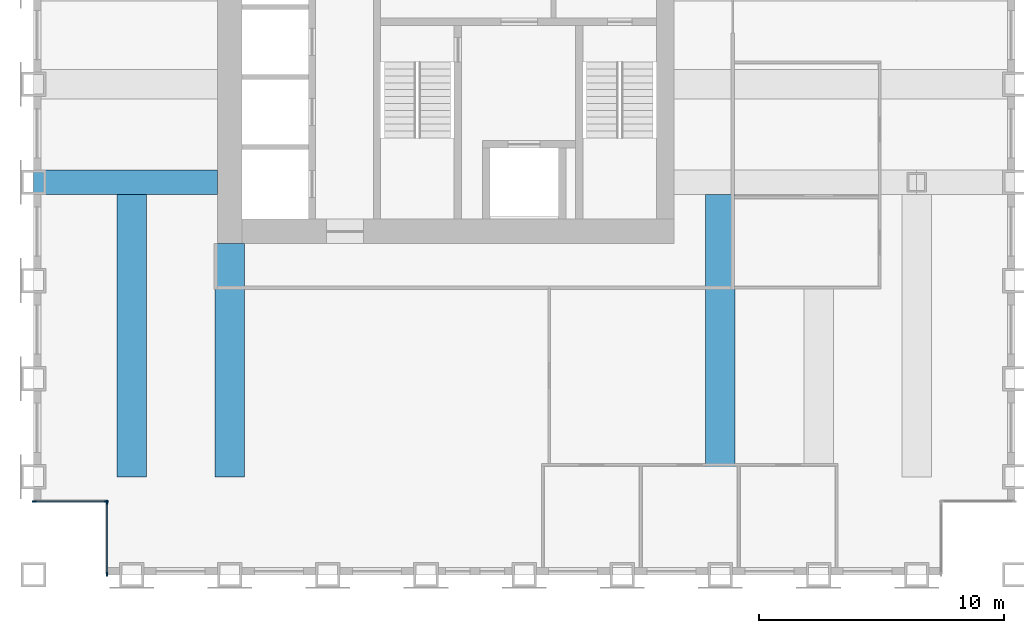
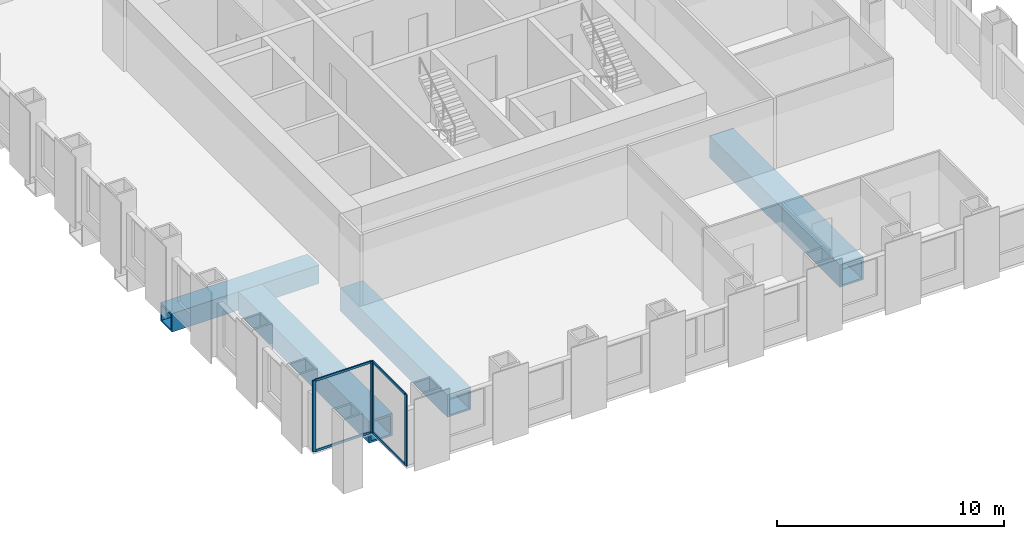
# One storey, part 2 of 11: 8 members, 4 beams, 2 elements without a shape of their own.
"""IFC4 building model written with IfcOpenShell, lengths in metres."""

import ifcopenshell
import ifcopenshell.guid

model = None  # the IFC model being written
_history = None  # IfcOwnerHistory: only IFC2X3 demands one
_inside = {}  # id of a spatial element -> (the spatial element, [elements in it])
_under = {}  # id of a project, library or spatial element -> (it, [spatial elements below it])
_declared = {}  # id of a project -> (the project, [libraries it declares])
_typed = {}  # id of a type object -> (the type object, [elements of that type])
_made_of = {}  # id of a material, layer set ... -> (it, [elements and type objects made of it])


def new_model(schema):
    """Start an empty IFC model of exactly this schema.

    Asked for "IFC4X3", IfcOpenShell would pick the latest addendum, in which some entities
    have other attributes; the version numbers below select the first issue.
    IFC2X3 requires an IfcOwnerHistory on every rooted entity: one is made here for all.
    """
    global model, _history
    if schema == "IFC4X3":
        model = ifcopenshell.file(schema_version=(4, 3, 0, 0))
    else:
        model = ifcopenshell.file(schema=schema)
    _inside.clear()
    _under.clear()
    _declared.clear()
    _typed.clear()
    _made_of.clear()
    _history = None
    if model.schema == "IFC2X3":
        org = make("IfcOrganization", Name="unknown")
        user = make(
            "IfcPersonAndOrganization",
            ThePerson=make("IfcPerson", FamilyName="unknown"),
            TheOrganization=org,
        )
        app = make(
            "IfcApplication",
            ApplicationDeveloper=org,
            Version="unknown",
            ApplicationFullName="unknown",
            ApplicationIdentifier="unknown",
        )
        _history = make(
            "IfcOwnerHistory",
            OwningUser=user,
            OwningApplication=app,
            ChangeAction="ADDED",
            CreationDate=0,
        )
    return model


def make(cls, **values):
    """One entity of the class cls with the attributes given. An attribute that is None is left unset."""
    return model.create_entity(
        cls, **{name: value for name, value in values.items() if value is not None}
    )


def rooted(cls, **values):
    """An entity with a GlobalId (a new one), such as an element, a storey or a relation."""
    return make(cls, GlobalId=ifcopenshell.guid.new(), OwnerHistory=_history, **values)


def si_unit(unit_type, name, prefix=None):
    """IfcSIUnit, for example si_unit("LENGTHUNIT", "METRE", prefix="MILLI")."""
    return make("IfcSIUnit", UnitType=unit_type, Prefix=prefix, Name=name)


def assignment(units):
    """IfcUnitAssignment: the units of a project."""
    return None if units is None else make("IfcUnitAssignment", Units=units)


def point(xyz):
    """IfcCartesianPoint."""
    return None if xyz is None else make("IfcCartesianPoint", Coordinates=xyz)


def direction(xyz):
    """IfcDirection."""
    return None if xyz is None else make("IfcDirection", DirectionRatios=xyz)


def frame(location, z_axis=None, x_axis=None):
    """IfcAxis2Placement3D, a coordinate frame: its origin and axes. An axis left out is left unset."""
    return make(
        "IfcAxis2Placement3D",
        Location=point(location),
        Axis=direction(z_axis),
        RefDirection=direction(x_axis),
    )


def frame_2d(location, x_axis=None):
    """IfcAxis2Placement2D, a coordinate frame in the plane: its origin and x axis."""
    return make(
        "IfcAxis2Placement2D", Location=point(location), RefDirection=direction(x_axis)
    )


def origin():
    """The frame at (0, 0, 0) with its axes left unset."""
    return frame((0.0, 0.0, 0.0))


def origin_2d():
    """The frame at (0, 0) in the plane with its x axis left unset."""
    return frame_2d((0.0, 0.0))


def place(relative_to, where):
    """IfcLocalPlacement: puts the frame where relative to a parent placement (None: the world)."""
    return make(
        "IfcLocalPlacement", PlacementRelTo=relative_to, RelativePlacement=where
    )


def context(
    kind, dimensions, precision=None, world=None, true_north=None, identifier=None
):
    """IfcGeometricRepresentationContext, for example the 3D "Model" context."""
    return make(
        "IfcGeometricRepresentationContext",
        ContextIdentifier=identifier,
        ContextType=kind,
        CoordinateSpaceDimension=dimensions,
        Precision=precision,
        WorldCoordinateSystem=world,
        TrueNorth=true_north,
    )


def subcontext(parent, identifier, kind, view, scale=None):
    """IfcGeometricRepresentationSubContext, for example "Body" below "Model"."""
    return make(
        "IfcGeometricRepresentationSubContext",
        ContextIdentifier=identifier,
        ContextType=kind,
        ParentContext=parent,
        TargetScale=scale,
        TargetView=view,
    )


def project(units=None, contexts=None):
    """IfcProject with its units and contexts."""
    return rooted(
        "IfcProject",
        Name="project",
        RepresentationContexts=contexts,
        UnitsInContext=assignment(units),
    )


def spatial(cls, under=None, at=None, **own):
    """A site, building, storey or space (cls), placed at a placement, below another one or the project."""
    s = rooted(cls, ObjectPlacement=at, **own)
    if under is not None:
        _under.setdefault(under.id(), (under, []))[1].append(s)
    return s


def profile(cls, at=None, kind="AREA", **sizes):
    """A parametric profile (cls). Its sizes go by their IFC names, for example OverallWidth=200.0."""
    return make(cls, ProfileType=kind, Position=at, **sizes)


def rectangle(**sizes):
    """IfcRectangleProfileDef."""
    return profile("IfcRectangleProfileDef", **sizes)


def hollow_rectangle(**sizes):
    """IfcRectangleHollowProfileDef."""
    return profile("IfcRectangleHollowProfileDef", **sizes)


def extrude(swept, where, along, depth):
    """IfcExtrudedAreaSolid: the profile swept, set in the frame where, extruded along a direction by depth."""
    return make(
        "IfcExtrudedAreaSolid",
        SweptArea=swept,
        Position=where,
        ExtrudedDirection=direction(along),
        Depth=depth,
    )


def shape(context_of_items, identifier, shape_type, items):
    """IfcShapeRepresentation: the items that make up one representation, for example the "Body"."""
    return make(
        "IfcShapeRepresentation",
        ContextOfItems=context_of_items,
        RepresentationIdentifier=identifier,
        RepresentationType=shape_type,
        Items=items,
    )


def material(Name=None, Category=None):
    """IfcMaterial."""
    return make("IfcMaterial", Name=Name, Category=Category)


def material_profile(
    of_material, cross_section, Name=None, Category=None, Priority=None
):
    """IfcMaterialProfile: a cross section and its material."""
    return make(
        "IfcMaterialProfile",
        Name=Name,
        Material=of_material,
        Profile=cross_section,
        Priority=Priority,
        Category=Category,
    )


def profile_set(profiles, Name=None, composite=None):
    """IfcMaterialProfileSet."""
    return make(
        "IfcMaterialProfileSet",
        Name=Name,
        MaterialProfiles=profiles,
        CompositeProfile=composite,
    )


def made_of(thing, what):
    """Note that an element or type object is made of a material, layer set ...; save() writes the relation."""
    if what is not None:
        _made_of.setdefault(what.id(), (what, []))[1].append(thing)
    return thing


def type_object(cls, material=None, **own):
    """A type object (cls), such as IfcWallType, which elements share."""
    return made_of(rooted(cls, **own), material)


def element(
    cls,
    number,
    at=None,
    inside=None,
    cuts=None,
    type_object=None,
    material=None,
    context=None,
    identifier="Body",
    shape_type=None,
    held_by="IfcProductDefinitionShape",
    body=None,
    shapes=None,
    **own,
):
    """One element of the class cls, such as IfcWall. Its Tag is "e" and its number.

    at: its placement. inside: the storey or other place that contains it. cuts: it is an
    opening in that element (IfcRelVoidsElement). A single representation is given by context,
    identifier, shape_type and body (its items); several are given by shapes. held_by: the class
    of the entity that holds the representations. save() writes the other relations.
    """
    e = rooted(cls, Tag="e%d" % number, ObjectPlacement=at, **own)
    if body is not None:
        shapes = [shape(context, identifier, shape_type, body)]
    if shapes is not None:
        e.Representation = make(held_by, Representations=shapes)
    if inside is not None:
        _inside.setdefault(inside.id(), (inside, []))[1].append(e)
    if cuts is not None:
        rooted(
            "IfcRelVoidsElement", RelatingBuildingElement=cuts, RelatedOpeningElement=e
        )
    if type_object is not None:
        _typed.setdefault(type_object.id(), (type_object, []))[1].append(e)
    return made_of(e, material)


def aggregate(whole, parts):
    """IfcRelAggregates: a whole, such as a stair, and the parts it consists of."""
    return rooted("IfcRelAggregates", RelatingObject=whole, RelatedObjects=parts)


def save(model, path):
    """Write the relations noted so far, then the file.

    IfcRelAggregates (storeys below a building ...), IfcRelContainedInSpatialStructure (elements
    in a storey), IfcRelDefinesByType, IfcRelAssociatesMaterial and IfcRelDeclares: one each for
    every whole, place, type object, material and project.
    """
    for whole, parts in _under.values():
        aggregate(whole, parts)
    for where, things in _inside.values():
        rooted(
            "IfcRelContainedInSpatialStructure",
            RelatedElements=things,
            RelatingStructure=where,
        )
    for kind, things in _typed.values():
        rooted("IfcRelDefinesByType", RelatedObjects=things, RelatingType=kind)
    for what, things in _made_of.values():
        rooted("IfcRelAssociatesMaterial", RelatedObjects=things, RelatingMaterial=what)
    for by, libraries in _declared.values():
        rooted("IfcRelDeclares", RelatingContext=by, RelatedDefinitions=libraries)
    model.write(path)


model = new_model("IFC4")

# Units and contexts
model_context = context("Model", 3, precision=1e-05, world=origin(), true_north=direction((0.0, 1.0)))
body_context = subcontext(model_context, "Body", "Model", "MODEL_VIEW")
ifc_project = project(units=[si_unit("LENGTHUNIT", "METRE"), si_unit("AREAUNIT", "SQUARE_METRE"), si_unit("VOLUMEUNIT", "CUBIC_METRE"), si_unit("PLANEANGLEUNIT", "RADIAN"), si_unit("MASSUNIT", "GRAM", prefix="KILO")], contexts=[model_context])

# Site, building, storey
site_placement = place(None, origin())
site = spatial("IfcSite", under=ifc_project, at=site_placement, CompositionType="ELEMENT")
building_placement = place(site_placement, origin())
building = spatial("IfcBuilding", under=site, at=building_placement, Name="Rimbunsela Tower", CompositionType="ELEMENT")
storey_placement = place(building_placement, frame((0.0, 0.0, 242.199951171875)))
storey = spatial("IfcBuildingStorey", under=building, at=storey_placement, Name="L58", CompositionType="ELEMENT", Elevation=242.199951171875)

# Beams
ifc_material_1 = material(Name="Steel BJ 55 (fy 410 MPa)", Category="steel")
ifc_material_profile_1 = material_profile(ifc_material_1, hollow_rectangle(XDim=1.0, YDim=1.0, WallThickness=0.10009765625, at=origin_2d()), Name="BOX 1000x1000x100")
ifc_profile_set_1 = profile_set([ifc_material_profile_1], Name="Steel BJ 55 (fy 410 MPa)")
beam_type_1 = type_object("IfcBeamType", Name="Beam BOX 1000x1000x100", PredefinedType="BEAM", material=ifc_profile_set_1)
beam_1_placement = place(storey_placement, frame((10.0, 20.0, -0.64990234375), z_axis=(1.0, 0.0, 0.0), x_axis=(0.0, 1.0, 0.0)))
element("IfcBeam", 1, at=beam_1_placement, inside=storey, type_object=beam_type_1, Name="Beam B3 L58", PredefinedType="BEAM", context=body_context, shape_type="SweptSolid", body=[
    extrude(hollow_rectangle(XDim=1.0, YDim=1.0, WallThickness=0.10009765625, at=origin_2d()), origin(), (0.0, 0.0, 1.0), 7.5),
])
ifc_material_2 = material(Name="Steel BJ 55 (fy 410 MPa)", Category="steel")
ifc_material_profile_2 = material_profile(ifc_material_2, hollow_rectangle(XDim=1.199951171875, YDim=1.199951171875, WallThickness=0.10009765625, at=origin_2d()), Name="BOX 1200x1200x100")
ifc_profile_set_2 = profile_set([ifc_material_profile_2], Name="Steel BJ 55 (fy 410 MPa)")
beam_type_2 = type_object("IfcBeamType", Name="Beam BOX 1200x1200x100", PredefinedType="BEAM", material=ifc_profile_set_2)
beam_2_placement = place(storey_placement, frame((14.0, 8.0, -0.75), z_axis=(0.0, 1.0, 0.0), x_axis=(-1.0, 0.0, 0.0)))
element("IfcBeam", 2, at=beam_2_placement, inside=storey, type_object=beam_type_2, Name="Beam B5 L58", PredefinedType="BEAM", context=body_context, shape_type="SweptSolid", body=[
    extrude(hollow_rectangle(XDim=1.199951171875, YDim=1.199951171875, WallThickness=0.10009765625, at=origin_2d()), origin(), (0.0, 0.0, 1.0), 11.5),
])
beam_3_placement = place(storey_placement, frame((18.0, 8.0, -0.75), z_axis=(0.0, 1.0, 0.0), x_axis=(-1.0, 0.0, 0.0)))
element("IfcBeam", 3, at=beam_3_placement, inside=storey, type_object=beam_type_2, Name="Beam B5 L58", PredefinedType="BEAM", context=body_context, shape_type="SweptSolid", body=[
    extrude(hollow_rectangle(XDim=1.199951171875, YDim=1.199951171875, WallThickness=0.10009765625, at=origin_2d()), origin(), (0.0, 0.0, 1.0), 9.5),
])
beam_4_placement = place(storey_placement, frame((38.0, 8.0, -0.75), z_axis=(0.0, 1.0, 0.0), x_axis=(-1.0, 0.0, 0.0)))
element("IfcBeam", 4, at=beam_4_placement, inside=storey, type_object=beam_type_2, Name="Beam B5 L58", PredefinedType="BEAM", context=body_context, shape_type="SweptSolid", body=[
    extrude(hollow_rectangle(XDim=1.199951171875, YDim=1.199951171875, WallThickness=0.10009765625, at=origin_2d()), origin(), (0.0, 0.0, 1.0), 11.5),
])

# Curtain wall, members
ifc_material_3 = material(Name="Aluminium curtain wall", Category="aluminium")
curtain_wall_type = type_object("IfcCurtainWallType", Name="Corner glazing", PredefinedType="USERDEFINED", material=ifc_material_3)
curtain_wall_1_placement = place(storey_placement, origin())
curtain_wall_1 = element("IfcCurtainWall", 5, at=curtain_wall_1_placement, inside=storey, type_object=curtain_wall_type, Name="Corner glazing L58", ObjectType="CORNER GLAZING", PredefinedType="USERDEFINED")
ifc_material_4 = material(Name="Aluminium mullion", Category="aluminium")
ifc_material_profile_3 = material_profile(ifc_material_4, rectangle(XDim=0.06005859375, YDim=0.159912109375, at=origin_2d()), Name="Mullion 60x160")
ifc_profile_set_3 = profile_set([ifc_material_profile_3], Name="Aluminium mullion")
member_type_1 = type_object("IfcMemberType", Name="Curtain wall mullion 60x160", PredefinedType="MULLION", material=ifc_profile_set_3)
member_1_placement = place(storey_placement, frame((10.030029296875, 7.0, 0.0), z_axis=(0.0, 0.0, 1.0), x_axis=(0.0, 1.0, 0.0)))
member_1 = element("IfcMember", 6, at=member_1_placement, type_object=member_type_1, Name="CW5 mullion 1", PredefinedType="MULLION", context=body_context, shape_type="SweptSolid", body=[
    extrude(rectangle(XDim=0.06005859375, YDim=0.159912109375, at=origin_2d()), origin(), (0.0, 0.0, 1.0), 3.85009765625),
])
member_2_placement = place(storey_placement, frame((12.969970703125, 7.0, 0.0), z_axis=(0.0, 0.0, 1.0), x_axis=(0.0, 1.0, 0.0)))
member_2 = element("IfcMember", 7, at=member_2_placement, type_object=member_type_1, Name="CW5 mullion 2", PredefinedType="MULLION", context=body_context, shape_type="SweptSolid", body=[
    extrude(rectangle(XDim=0.06005859375, YDim=0.159912109375, at=origin_2d()), origin(), (0.0, 0.0, 1.0), 3.85009765625),
])

curtain_wall_2_placement = place(storey_placement, origin())
curtain_wall_2 = element("IfcCurtainWall", 8, at=curtain_wall_2_placement, inside=storey, type_object=curtain_wall_type, Name="Corner glazing L58", ObjectType="CORNER GLAZING", PredefinedType="USERDEFINED")
member_3_placement = place(storey_placement, frame((13.0, 6.969970703125, 0.0), z_axis=(0.0, 0.0, 1.0), x_axis=(1.0, 0.0, 0.0)))
member_3 = element("IfcMember", 9, at=member_3_placement, type_object=member_type_1, Name="CW5 mullion 1", PredefinedType="MULLION", context=body_context, shape_type="SweptSolid", body=[
    extrude(rectangle(XDim=0.06005859375, YDim=0.159912109375, at=origin_2d()), origin(), (0.0, 0.0, 1.0), 3.85009765625),
])
member_4_placement = place(storey_placement, frame((13.0, 4.030029296875, 0.0), z_axis=(0.0, 0.0, 1.0), x_axis=(1.0, 0.0, 0.0)))
member_4 = element("IfcMember", 10, at=member_4_placement, type_object=member_type_1, Name="CW5 mullion 2", PredefinedType="MULLION", context=body_context, shape_type="SweptSolid", body=[
    extrude(rectangle(XDim=0.06005859375, YDim=0.159912109375, at=origin_2d()), origin(), (0.0, 0.0, 1.0), 3.85009765625),
])

# Member
ifc_material_5 = material(Name="Aluminium transom", Category="aluminium")
ifc_material_profile_4 = material_profile(ifc_material_5, rectangle(XDim=0.06005859375, YDim=0.1201171875, at=origin_2d()), Name="Transom 60x120")
ifc_profile_set_4 = profile_set([ifc_material_profile_4], Name="Aluminium transom")
member_type_2 = type_object("IfcMemberType", Name="Curtain wall transom 60x120", PredefinedType="USERDEFINED", material=ifc_profile_set_4)
member_5_placement = place(storey_placement, frame((10.06005859375, 7.0, 0.030029296875), z_axis=(1.0, 0.0, 0.0), x_axis=(0.0, 1.0, 0.0)))
member_5 = element("IfcMember", 11, at=member_5_placement, type_object=member_type_2, Name="CW5 transom 1.1", ObjectType="TRANSOM", PredefinedType="USERDEFINED", context=body_context, shape_type="SweptSolid", body=[
    extrude(rectangle(XDim=0.06005859375, YDim=0.1201171875, at=origin_2d()), origin(), (0.0, 0.0, 1.0), 2.8798828125),
])

member_6_placement = place(storey_placement, frame((10.06005859375, 7.0, 3.820068359375), z_axis=(1.0, 0.0, 0.0), x_axis=(0.0, 1.0, 0.0)))
member_6 = element("IfcMember", 12, at=member_6_placement, type_object=member_type_2, Name="CW5 transom 1.2", ObjectType="TRANSOM", PredefinedType="USERDEFINED", context=body_context, shape_type="SweptSolid", body=[
    extrude(rectangle(XDim=0.06005859375, YDim=0.1201171875, at=origin_2d()), origin(), (0.0, 0.0, 1.0), 2.8798828125),
])

aggregate(curtain_wall_1, [member_1, member_2, member_5, member_6])

member_7_placement = place(storey_placement, frame((13.0, 6.93994140625, 0.030029296875), z_axis=(0.0, -1.0, 0.0), x_axis=(1.0, 0.0, 0.0)))
member_7 = element("IfcMember", 13, at=member_7_placement, type_object=member_type_2, Name="CW5 transom 1.1", ObjectType="TRANSOM", PredefinedType="USERDEFINED", context=body_context, shape_type="SweptSolid", body=[
    extrude(rectangle(XDim=0.06005859375, YDim=0.1201171875, at=origin_2d()), origin(), (0.0, 0.0, 1.0), 2.8798828125),
])

member_8_placement = place(storey_placement, frame((13.0, 6.93994140625, 3.820068359375), z_axis=(0.0, -1.0, 0.0), x_axis=(1.0, 0.0, 0.0)))
member_8 = element("IfcMember", 14, at=member_8_placement, type_object=member_type_2, Name="CW5 transom 1.2", ObjectType="TRANSOM", PredefinedType="USERDEFINED", context=body_context, shape_type="SweptSolid", body=[
    extrude(rectangle(XDim=0.06005859375, YDim=0.1201171875, at=origin_2d()), origin(), (0.0, 0.0, 1.0), 2.8798828125),
])

aggregate(curtain_wall_2, [member_3, member_4, member_7, member_8])

save(model, "model.ifc")
